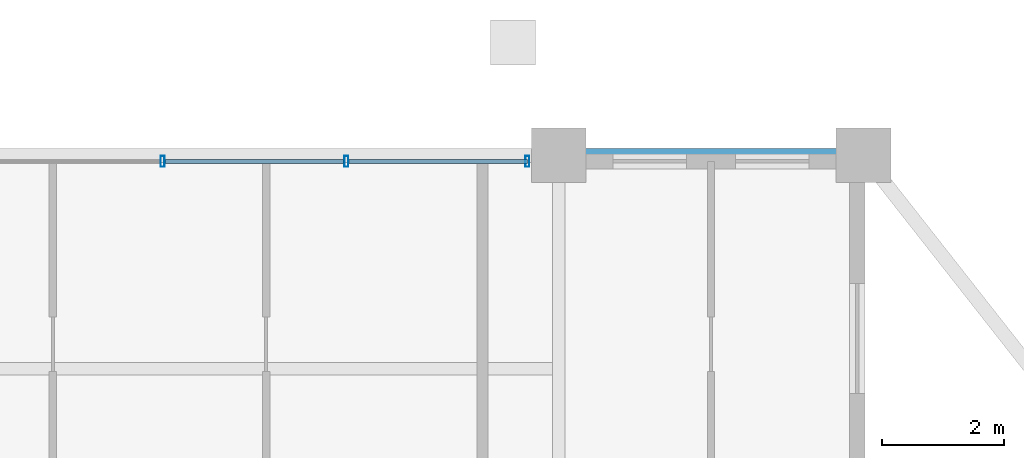
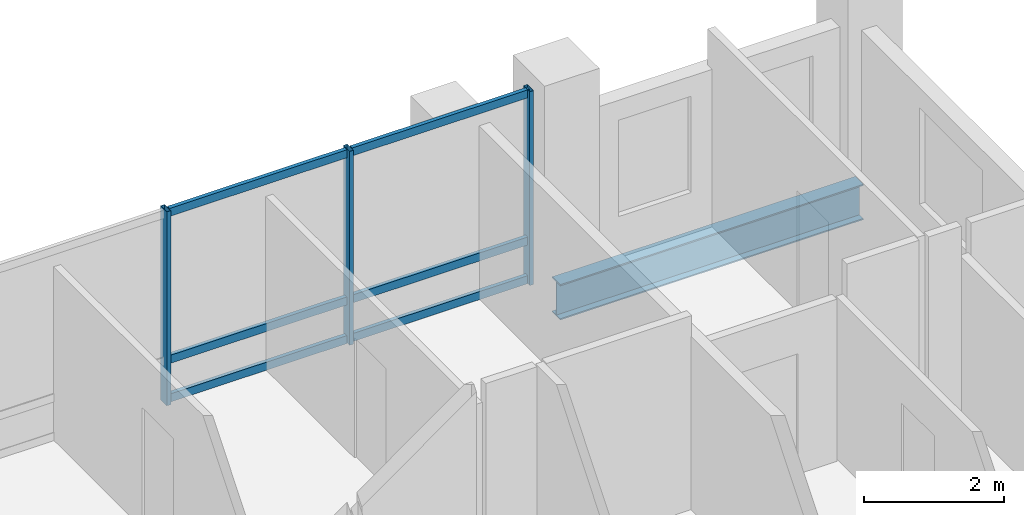
# One storey, part 14 of 22: 9 members, 1 beam, 1 element without a shape of its own.
"""IFC4 building model written with IfcOpenShell, lengths in metres."""

from ifc_helpers import new_model, si_unit, direction, frame, origin, origin_2d, place, context, subcontext, project, spatial, hollow_rectangle, i_section, extrude, material, layer, layer_set, material_profile, profile_set, type_object, element, aggregate, save


model = new_model("IFC4")

# Units and contexts
model_context = context("Model", 3, precision=1e-05, world=origin(), true_north=direction((0.0, 1.0)))
body_context = subcontext(model_context, "Body", "Model", "MODEL_VIEW")
ifc_project = project(units=[si_unit("LENGTHUNIT", "METRE"), si_unit("AREAUNIT", "SQUARE_METRE"), si_unit("VOLUMEUNIT", "CUBIC_METRE"), si_unit("PLANEANGLEUNIT", "RADIAN"), si_unit("MASSUNIT", "GRAM", prefix="KILO")], contexts=[model_context])

# Site, building, storey
site_placement = place(None, origin())
site = spatial("IfcSite", under=ifc_project, at=site_placement, CompositionType="ELEMENT")
building_placement = place(site_placement, origin())
building = spatial("IfcBuilding", under=site, at=building_placement, Name="Barlavira Tower and Art Museum", CompositionType="ELEMENT")
storey_placement = place(building_placement, frame((0.0, 0.0, 243.89990234375)))
storey = spatial("IfcBuildingStorey", under=building, at=storey_placement, Name="L63", CompositionType="ELEMENT", Elevation=243.89990234375)

# Curtain wall, members
ifc_material_1 = material(Name="Low-iron coastal laminated glass", Category="glass")
ifc_layer = layer(ifc_material_1, 0.2099609375, Name="Low-iron coastal laminated glass")
ifc_layer_set = layer_set([ifc_layer], Name="Low-iron coastal laminated glass")
curtain_wall_type = type_object("IfcCurtainWallType", Name="Pale-Metal Unitised Curtain Wall Zone 4", PredefinedType="NOTDEFINED", material=ifc_layer_set)
curtain_wall_placement = place(storey_placement, origin())
curtain_wall = element("IfcCurtainWall", 1, at=curtain_wall_placement, inside=storey, type_object=curtain_wall_type, Name="L63 Curtain Wall CW4-L63-N-B2", PredefinedType="NOTDEFINED")
ifc_material_2 = material(Name="Pale anodised aluminium", Category="aluminium")
ifc_material_profile_1 = material_profile(ifc_material_2, hollow_rectangle(XDim=0.06494140625, YDim=0.179931640625, WallThickness=0.00390625, at=origin_2d()), Name="ALU-MULL 65x180x4")
ifc_profile_set_1 = profile_set([ifc_material_profile_1], Name="Pale anodised aluminium")
member_type_1 = type_object("IfcMemberType", Name="Curtain Wall Pale-Metal Mullion 65x180", PredefinedType="MULLION", material=ifc_profile_set_1)
member_1_placement = place(storey_placement, frame((5.985107421875, 19.89990234375, 0.0), z_axis=(0.0, 0.0, 1.0), x_axis=(-1.0, 0.0, 0.0)))
member_1 = element("IfcMember", 2, at=member_1_placement, type_object=member_type_1, Name="CW4-L63-N-B2 Mullion 0", PredefinedType="MULLION", context=body_context, shape_type="SweptSolid", body=[
    extrude(hollow_rectangle(XDim=0.06494140625, YDim=0.179931640625, WallThickness=0.00390625, at=origin_2d()), origin(), (0.0, 0.0, 1.0), 3.380126953125),
])
member_2_placement = place(storey_placement, frame((3.014892578125, 19.89990234375, 0.0), z_axis=(0.0, 0.0, 1.0), x_axis=(-1.0, 0.0, 0.0)))
member_2 = element("IfcMember", 3, at=member_2_placement, type_object=member_type_1, Name="CW4-L63-N-B2 Mullion 1", PredefinedType="MULLION", context=body_context, shape_type="SweptSolid", body=[
    extrude(hollow_rectangle(XDim=0.06494140625, YDim=0.179931640625, WallThickness=0.00390625, at=origin_2d()), origin(), (0.0, 0.0, 1.0), 3.380126953125),
])
member_3_placement = place(storey_placement, frame((0.0, 19.89990234375, 0.0), z_axis=(0.0, 0.0, 1.0), x_axis=(-1.0, 0.0, 0.0)))
member_3 = element("IfcMember", 4, at=member_3_placement, type_object=member_type_1, Name="CW4-L63-N-B2 Mullion 2", PredefinedType="MULLION", context=body_context, shape_type="SweptSolid", body=[
    extrude(hollow_rectangle(XDim=0.06494140625, YDim=0.179931640625, WallThickness=0.00390625, at=origin_2d()), origin(), (0.0, 0.0, 1.0), 3.380126953125),
])
ifc_material_profile_2 = material_profile(ifc_material_2, hollow_rectangle(XDim=0.06494140625, YDim=0.139892578125, WallThickness=0.00390625, at=origin_2d()), Name="ALU-TRAN 65x140x4")
ifc_profile_set_2 = profile_set([ifc_material_profile_2], Name="Pale anodised aluminium")
member_type_2 = type_object("IfcMemberType", Name="Curtain Wall Pale-Metal Transom 65x140", PredefinedType="USERDEFINED", material=ifc_profile_set_2)
member_4_placement = place(storey_placement, frame((5.985107421875, 19.89990234375, 0.070068359375), z_axis=(-1.0, 0.0, 0.0), x_axis=(0.0, -1.0, 0.0)))
member_4 = element("IfcMember", 5, at=member_4_placement, type_object=member_type_2, Name="CW4-L63-N-B2 Transom 0.1", ObjectType="TRANSOM", PredefinedType="USERDEFINED", context=body_context, shape_type="SweptSolid", body=[
    extrude(hollow_rectangle(XDim=0.06494140625, YDim=0.139892578125, WallThickness=0.00390625, at=origin_2d()), origin(), (0.0, 0.0, 1.0), 2.925048828125),
])
member_5_placement = place(storey_placement, frame((5.985107421875, 19.89990234375, 0.744140625), z_axis=(-1.0, 0.0, 0.0), x_axis=(0.0, -1.0, 0.0)))
member_5 = element("IfcMember", 6, at=member_5_placement, type_object=member_type_2, Name="CW4-L63-N-B2 Transom 0.2", ObjectType="TRANSOM", PredefinedType="USERDEFINED", context=body_context, shape_type="SweptSolid", body=[
    extrude(hollow_rectangle(XDim=0.06494140625, YDim=0.139892578125, WallThickness=0.00390625, at=origin_2d()), origin(), (0.0, 0.0, 1.0), 2.925048828125),
])
member_6_placement = place(storey_placement, frame((5.985107421875, 19.89990234375, 3.31005859375), z_axis=(-1.0, 0.0, 0.0), x_axis=(0.0, -1.0, 0.0)))
member_6 = element("IfcMember", 7, at=member_6_placement, type_object=member_type_2, Name="CW4-L63-N-B2 Transom 0.3", ObjectType="TRANSOM", PredefinedType="USERDEFINED", context=body_context, shape_type="SweptSolid", body=[
    extrude(hollow_rectangle(XDim=0.06494140625, YDim=0.139892578125, WallThickness=0.00390625, at=origin_2d()), origin(), (0.0, 0.0, 1.0), 2.925048828125),
])
member_7_placement = place(storey_placement, frame((2.969970703125, 19.89990234375, 0.070068359375), z_axis=(-1.0, 0.0, 0.0), x_axis=(0.0, -1.0, 0.0)))
member_7 = element("IfcMember", 8, at=member_7_placement, type_object=member_type_2, Name="CW4-L63-N-B2 Transom 1.1", ObjectType="TRANSOM", PredefinedType="USERDEFINED", context=body_context, shape_type="SweptSolid", body=[
    extrude(hollow_rectangle(XDim=0.06494140625, YDim=0.139892578125, WallThickness=0.00390625, at=origin_2d()), origin(), (0.0, 0.0, 1.0), 2.925048828125),
])
member_8_placement = place(storey_placement, frame((2.969970703125, 19.89990234375, 0.744140625), z_axis=(-1.0, 0.0, 0.0), x_axis=(0.0, -1.0, 0.0)))
member_8 = element("IfcMember", 9, at=member_8_placement, type_object=member_type_2, Name="CW4-L63-N-B2 Transom 1.2", ObjectType="TRANSOM", PredefinedType="USERDEFINED", context=body_context, shape_type="SweptSolid", body=[
    extrude(hollow_rectangle(XDim=0.06494140625, YDim=0.139892578125, WallThickness=0.00390625, at=origin_2d()), origin(), (0.0, 0.0, 1.0), 2.925048828125),
])
member_9_placement = place(storey_placement, frame((2.969970703125, 19.89990234375, 3.31005859375), z_axis=(-1.0, 0.0, 0.0), x_axis=(0.0, -1.0, 0.0)))
member_9 = element("IfcMember", 10, at=member_9_placement, type_object=member_type_2, Name="CW4-L63-N-B2 Transom 1.3", ObjectType="TRANSOM", PredefinedType="USERDEFINED", context=body_context, shape_type="SweptSolid", body=[
    extrude(hollow_rectangle(XDim=0.06494140625, YDim=0.139892578125, WallThickness=0.00390625, at=origin_2d()), origin(), (0.0, 0.0, 1.0), 2.925048828125),
])
aggregate(curtain_wall, [member_1, member_2, member_3, member_4, member_5, member_6, member_7, member_8, member_9])

# Beam
ifc_material_3 = material(Name="Steel S355", Category="steel")
ifc_material_profile_3 = material_profile(ifc_material_3, i_section(OverallWidth=0.22998046875, OverallDepth=0.616943359375, WebThickness=0.01318359375, FlangeThickness=0.022216796875, at=origin_2d()), Name="W610x140.0")
ifc_profile_set_3 = profile_set([ifc_material_profile_3], Name="Steel S355")
beam_type = type_object("IfcBeamType", Name="Upper Shaft Spandrel Edge Beam W610x140 Steel S355", PredefinedType="SPANDREL", material=ifc_profile_set_3)
beam_placement = place(storey_placement, frame((6.5, 20.0, -0.5283203125), z_axis=(1.0, 0.0, 0.0), x_axis=(0.0, 1.0, 0.0)))
element("IfcBeam", 11, at=beam_placement, inside=storey, type_object=beam_type, Name="L63 Spandrel 9", PredefinedType="SPANDREL", context=body_context, shape_type="SweptSolid", body=[
    extrude(i_section(OverallWidth=0.22998046875, OverallDepth=0.616943359375, WebThickness=0.01318359375, FlangeThickness=0.022216796875, at=origin_2d()), origin(), (0.0, 0.0, 1.0), 5.0),
])

save(model, "model.ifc")
